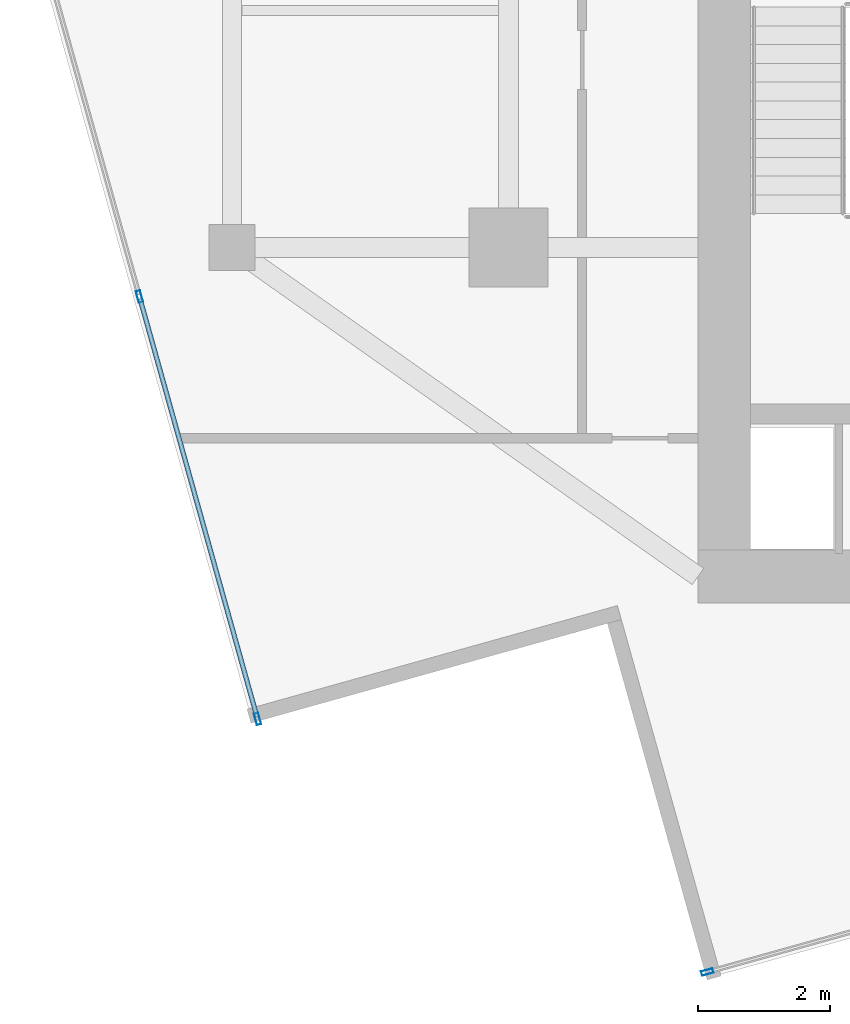
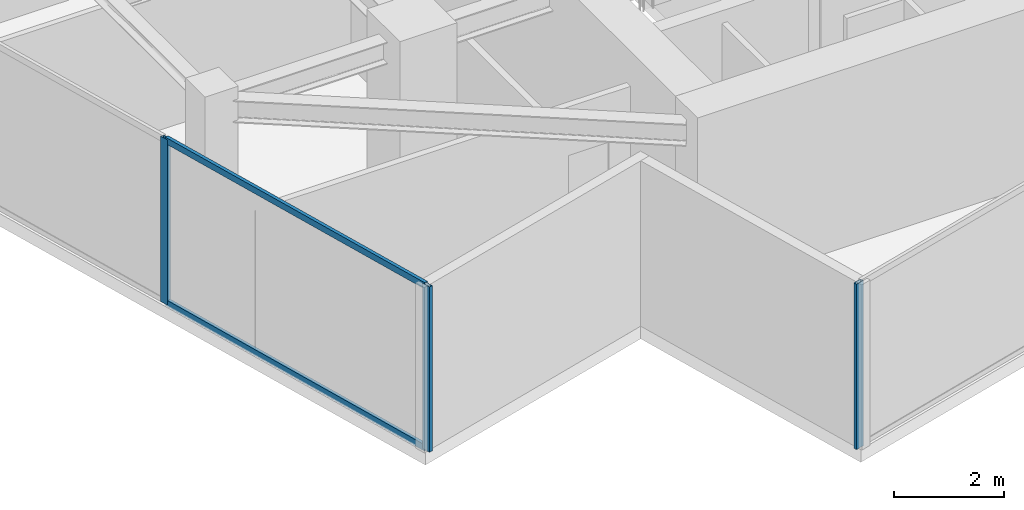
# One storey, part 2 of 21: 5 members, 2 elements without a shape of their own.
"""IFC4 building model written with IfcOpenShell, lengths in metres."""

from ifc_helpers import new_model, si_unit, direction, frame, origin, origin_2d, place, context, subcontext, project, spatial, hollow_rectangle, extrude, source, transform, mapped, material, material_profile, profile_set, type_object, type_shapes, element, aggregate, save


model = new_model("IFC4")

# Units and contexts
model_context = context("Model", 3, precision=1e-05, world=origin(), true_north=direction((0.0, 1.0)))
body_context = subcontext(model_context, "Body", "Model", "MODEL_VIEW")
ifc_project = project(units=[si_unit("LENGTHUNIT", "METRE"), si_unit("AREAUNIT", "SQUARE_METRE"), si_unit("VOLUMEUNIT", "CUBIC_METRE"), si_unit("PLANEANGLEUNIT", "RADIAN"), si_unit("MASSUNIT", "GRAM", prefix="KILO")], contexts=[model_context])

# Site, building, storey
site_placement = place(None, origin())
site = spatial("IfcSite", under=ifc_project, at=site_placement, CompositionType="ELEMENT")
building_placement = place(site_placement, origin())
building = spatial("IfcBuilding", under=site, at=building_placement, Name="Krantzveldt Concourse Tower", CompositionType="ELEMENT")
storey_placement = place(building_placement, frame((0.0, 0.0, 347.449951171875)))
storey = spatial("IfcBuildingStorey", under=building, at=storey_placement, Name="L85", CompositionType="ELEMENT", Elevation=347.449951171875)

# Curtain wall, members
ifc_material = material(Name="Anodised aluminium 6063-T6", Category="aluminium")
curtain_wall_type = type_object("IfcCurtainWallType", Name="CW4", PredefinedType="USERDEFINED", material=ifc_material)
curtain_wall_1_placement = place(storey_placement, origin())
curtain_wall_1 = element("IfcCurtainWall", 1, at=curtain_wall_1_placement, inside=storey, type_object=curtain_wall_type, Name="CW-L85-F04", ObjectType="UNITISED CURTAIN WALL", PredefinedType="USERDEFINED")
ifc_material_profile_1 = material_profile(ifc_material, hollow_rectangle(XDim=0.070068359375, YDim=0.179931640625, WallThickness=0.0048828125, at=origin_2d()), Name="Anodised aluminium 6063-T6", Category="aluminium")
ifc_profile_set_1 = profile_set([ifc_material_profile_1], Name="Anodised aluminium 6063-T6 - ALU-MULL 180x70x5")
member_type_1 = type_object("IfcMemberType", Name="CW-MUL-180", PredefinedType="MULLION", material=ifc_profile_set_1)
shared_shape_1 = source(origin(), body_context, "Body", "SweptSolid", [
    extrude(hollow_rectangle(XDim=0.070068359375, YDim=0.179931640625, WallThickness=0.0048828125, at=origin_2d()), origin(), (0.0, 0.0, 1.0), 3.670166015625),
])
type_shapes(member_type_1, [shared_shape_1])
member_1_placement = place(storey_placement, frame((19.593505859375, 15.154296875, 0.0), z_axis=(0.0, 0.0, 1.0), x_axis=(0.963045170968, 0.269339931454, 0.0)))
member_1 = element("IfcMember", 2, at=member_1_placement, type_object=member_type_1, Name="CW-Z56 mullion 4", PredefinedType="MULLION", context=body_context, shape_type="MappedRepresentation", body=[
    mapped(shared_shape_1, transform((0.0, 0.0, 0.0), x_axis=(1.0, 0.0, 0.0), y_axis=(0.0, 1.0, 0.0), z_axis=(0.0, 0.0, 1.0), scale=1.0)),
])
member_2_placement = place(storey_placement, frame((21.388427734375, 8.735595703125, 0.0), z_axis=(0.0, 0.0, 1.0), x_axis=(0.963045170968, 0.269339931454, 0.0)))
member_2 = element("IfcMember", 3, at=member_2_placement, type_object=member_type_1, Name="CW-Z56 mullion 5", PredefinedType="MULLION", context=body_context, shape_type="MappedRepresentation", body=[
    mapped(shared_shape_1, transform((0.0, 0.0, 0.0), x_axis=(1.0, 0.0, 0.0), y_axis=(0.0, 1.0, 0.0), z_axis=(0.0, 0.0, 1.0), scale=1.0)),
])

# Curtain wall, member
curtain_wall_2_placement = place(storey_placement, origin())
curtain_wall_2 = element("IfcCurtainWall", 4, at=curtain_wall_2_placement, inside=storey, type_object=curtain_wall_type, Name="CW-L85-F07", ObjectType="UNITISED CURTAIN WALL", PredefinedType="USERDEFINED")
member_3_placement = place(storey_placement, frame((28.22216796875, 4.88916015625, 0.0), z_axis=(0.0, 0.0, 1.0), x_axis=(-0.269339931454, 0.963045170968, 0.0)))
member_3 = element("IfcMember", 5, at=member_3_placement, type_object=member_type_1, Name="CW-Z56 mullion 1", PredefinedType="MULLION", context=body_context, shape_type="MappedRepresentation", body=[
    mapped(shared_shape_1, transform((0.0, 0.0, 0.0), x_axis=(1.0, 0.0, 0.0), y_axis=(0.0, 1.0, 0.0), z_axis=(0.0, 0.0, 1.0), scale=1.0)),
])
aggregate(curtain_wall_2, [member_3])

# Member
ifc_material_profile_2 = material_profile(ifc_material, hollow_rectangle(XDim=0.070068359375, YDim=0.139892578125, WallThickness=0.0048828125, at=origin_2d()), Name="Anodised aluminium 6063-T6", Category="aluminium")
ifc_profile_set_2 = profile_set([ifc_material_profile_2], Name="Anodised aluminium 6063-T6 - ALU-TRAN 140x70x5")
member_type_2 = type_object("IfcMemberType", Name="CW-TRN-150", PredefinedType="USERDEFINED", material=ifc_profile_set_2)
shared_shape_2 = source(origin(), body_context, "Body", "SweptSolid", [
    extrude(hollow_rectangle(XDim=0.070068359375, YDim=0.139892578125, WallThickness=0.0048828125, at=origin_2d()), origin(), (0.0, 0.0, 1.0), 6.594970703125),
])
type_shapes(member_type_2, [shared_shape_2])
member_4_placement = place(storey_placement, frame((19.602783203125, 15.12060546875, 0.03515625), z_axis=(0.269348428694, -0.963042794459, 0.0), x_axis=(0.963042794459, 0.269348428694, 0.0)))
member_4 = element("IfcMember", 6, at=member_4_placement, type_object=member_type_2, Name="CW-Z56 transom 4.1", ObjectType="TRANSOM", PredefinedType="USERDEFINED", context=body_context, shape_type="MappedRepresentation", body=[
    mapped(shared_shape_2, transform((0.0, 0.0, 0.0), x_axis=(1.0, 0.0, 0.0), y_axis=(0.0, 1.0, 0.0), z_axis=(0.0, 0.0, 1.0), scale=1.0)),
])

member_5_placement = place(storey_placement, frame((19.602783203125, 15.12060546875, 3.635009765625), z_axis=(0.269348428694, -0.963042794459, 0.0), x_axis=(0.963042794459, 0.269348428694, 0.0)))
member_5 = element("IfcMember", 7, at=member_5_placement, type_object=member_type_2, Name="CW-Z56 transom 4.2", ObjectType="TRANSOM", PredefinedType="USERDEFINED", context=body_context, shape_type="MappedRepresentation", body=[
    mapped(shared_shape_2, transform((0.0, 0.0, 0.0), x_axis=(1.0, 0.0, 0.0), y_axis=(0.0, 1.0, 0.0), z_axis=(0.0, 0.0, 1.0), scale=1.0)),
])

aggregate(curtain_wall_1, [member_1, member_2, member_4, member_5])

save(model, "model.ifc")
